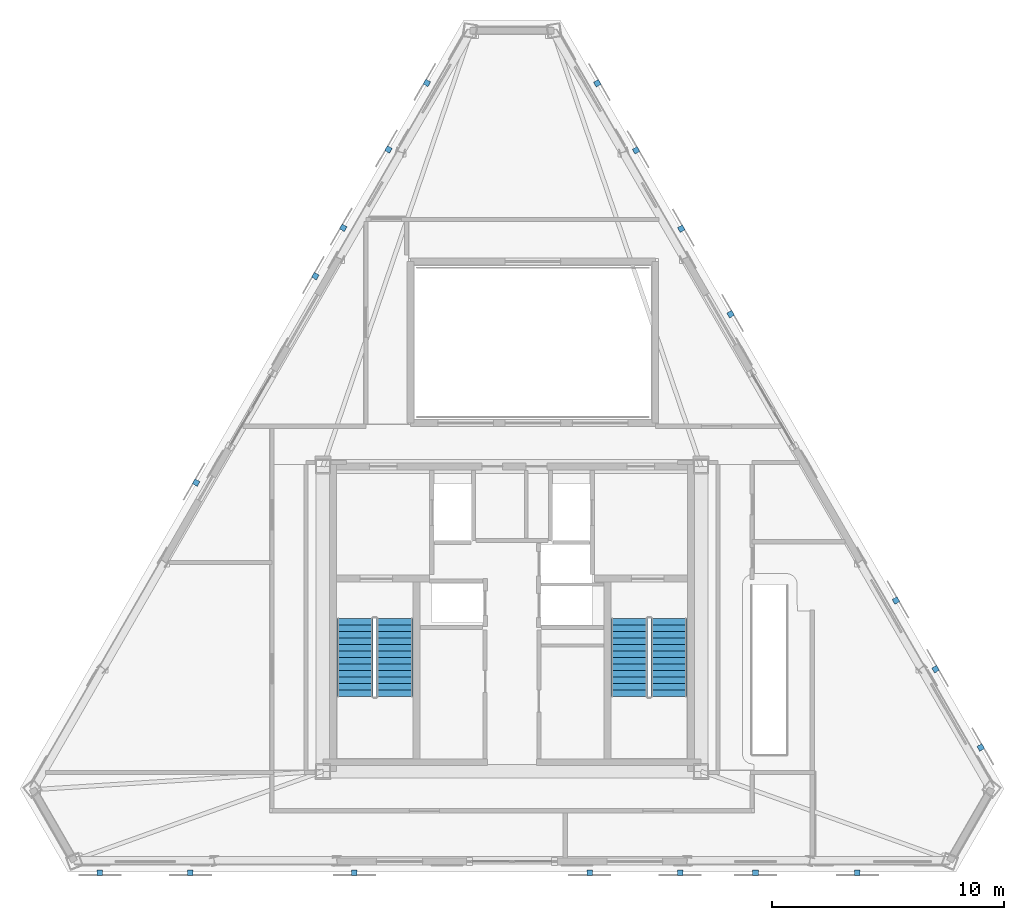
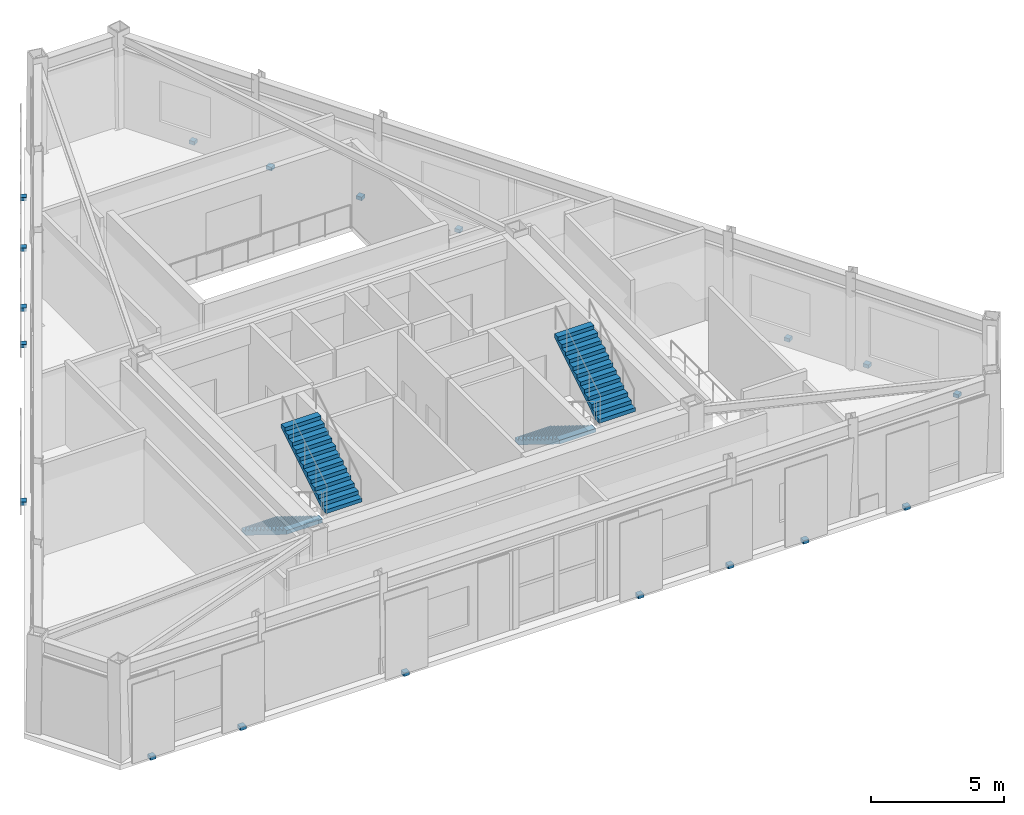
# One storey, part 11 of 14: 19 discrete accessories, 4 stair flights, 2 elements without a shape of their own.
"""IFC4 building model written with IfcOpenShell, lengths in metres."""

from ifc_helpers import new_model, si_unit, direction, frame, origin, origin_2d, place, context, subcontext, project, spatial, polyline, rectangle, outline, extrude, material, type_object, element, aggregate, save


model = new_model("IFC4")

# Units and contexts
model_context = context("Model", 3, precision=1e-05, world=origin(), true_north=direction((0.0, 1.0)))
body_context = subcontext(model_context, "Body", "Model", "MODEL_VIEW")
ifc_project = project(units=[si_unit("LENGTHUNIT", "METRE"), si_unit("AREAUNIT", "SQUARE_METRE"), si_unit("VOLUMEUNIT", "CUBIC_METRE"), si_unit("PLANEANGLEUNIT", "RADIAN"), si_unit("MASSUNIT", "GRAM", prefix="KILO")], contexts=[model_context])

# Site, building, storey
site_placement = place(None, origin())
site = spatial("IfcSite", under=ifc_project, at=site_placement, CompositionType="ELEMENT")
building_placement = place(site_placement, origin())
building = spatial("IfcBuilding", under=site, at=building_placement, Name="Oramaril Tower", CompositionType="ELEMENT")
storey_placement = place(building_placement, frame((0.0, 0.0, 309.60009765625)))
storey = spatial("IfcBuildingStorey", under=building, at=storey_placement, Name="L81", CompositionType="ELEMENT", Elevation=309.60009765625)

# Stair, stair flights
ifc_material_1 = material(Name="Concrete C50/60", Category="concrete")
stair_type = type_object("IfcStairType", Name="STT-DG-4500", PredefinedType="HALF_TURN_STAIR", material=ifc_material_1)
stair_1_placement = place(storey_placement, origin())
stair_1 = element("IfcStair", 1, at=stair_1_placement, inside=storey, type_object=stair_type, Name="L81 Protected PFP Exit Stair ST-1", PredefinedType="HALF_TURN_STAIR")
ifc_material_2 = material(Name="Concrete C50/60", Category="concrete")
stair_flight_type = type_object("IfcStairFlightType", Name="SFT-DG-4500", PredefinedType="STRAIGHT", material=ifc_material_2)
stair_flight_1_placement = place(storey_placement, frame((30.72998046875, 17.590087890625, 0.0), z_axis=(0.0, 0.0, 1.0), x_axis=(0.0, -1.0, 0.0)))
stair_flight_1 = element("IfcStairFlight", 2, at=stair_flight_1_placement, type_object=stair_flight_type, Name="ST-1 flight 1", NumberOfRisers=13, NumberOfTreads=12, PredefinedType="STRAIGHT", RiserHeight=0.173076923, TreadLength=0.28, context=body_context, shape_type="SweptSolid", body=[
    extrude(outline(polyline([(0.0, 0.0), (0.0, 0.173095703125), (0.280029296875, 0.173095703125), (0.280029296875, 0.34619140625), (0.56005859375, 0.34619140625), (0.56005859375, 0.519287109375), (0.840087890625, 0.519287109375), (0.840087890625, 0.6923828125), (1.1201171875, 0.6923828125), (1.1201171875, 0.865478515625), (1.39990234375, 0.865478515625), (1.39990234375, 1.03857421875), (1.679931640625, 1.03857421875), (1.679931640625, 1.21142578125), (1.9599609375, 1.21142578125), (1.9599609375, 1.384521484375), (2.239990234375, 1.384521484375), (2.239990234375, 1.5576171875), (2.52001953125, 1.5576171875), (2.52001953125, 1.730712890625), (2.800048828125, 1.730712890625), (2.800048828125, 1.90380859375), (3.080078125, 1.90380859375), (3.080078125, 2.076904296875), (3.360107421875, 2.076904296875), (3.360107421875, 2.25), (3.360107421875, 1.900634765625), (0.28515625, 0.0), (0.0, 0.0)])), frame((0.0, 0.780029296875, 0.0), z_axis=(0.0, -1.0, 0.0), x_axis=(1.0, 0.0, 0.0)), (0.0, 0.0, 1.0), 1.56005859375),
])
stair_flight_2_placement = place(storey_placement, frame((32.43994140625, 14.22998046875, 2.25), z_axis=(0.0, 0.0, 1.0), x_axis=(0.0, 1.0, 0.0)))
stair_flight_2 = element("IfcStairFlight", 3, at=stair_flight_2_placement, type_object=stair_flight_type, Name="ST-1 flight 2", NumberOfRisers=13, NumberOfTreads=12, PredefinedType="STRAIGHT", RiserHeight=0.173076923, TreadLength=0.28, context=body_context, shape_type="SweptSolid", body=[
    extrude(outline(polyline([(0.0, 0.0), (0.0, 0.173095703125), (0.280029296875, 0.173095703125), (0.280029296875, 0.34619140625), (0.56005859375, 0.34619140625), (0.56005859375, 0.519287109375), (0.840087890625, 0.519287109375), (0.840087890625, 0.6923828125), (1.1201171875, 0.6923828125), (1.1201171875, 0.865478515625), (1.39990234375, 0.865478515625), (1.39990234375, 1.03857421875), (1.679931640625, 1.03857421875), (1.679931640625, 1.21142578125), (1.9599609375, 1.21142578125), (1.9599609375, 1.384521484375), (2.239990234375, 1.384521484375), (2.239990234375, 1.5576171875), (2.52001953125, 1.5576171875), (2.52001953125, 1.730712890625), (2.800048828125, 1.730712890625), (2.800048828125, 1.90380859375), (3.080078125, 1.90380859375), (3.080078125, 2.076904296875), (3.360107421875, 2.076904296875), (3.360107421875, 2.25), (3.360107421875, 1.900634765625), (0.28515625, 0.0), (0.0, 0.0)])), frame((0.0, 0.780029296875, 0.0), z_axis=(0.0, -1.0, 0.0), x_axis=(1.0, 0.0, 0.0)), (0.0, 0.0, 1.0), 1.56005859375),
])
aggregate(stair_1, [stair_flight_1, stair_flight_2])

stair_2_placement = place(storey_placement, origin())
stair_2 = element("IfcStair", 4, at=stair_2_placement, inside=storey, type_object=stair_type, Name="L81 Protected PFP Exit Stair ST-2", PredefinedType="HALF_TURN_STAIR")
stair_flight_3_placement = place(storey_placement, frame((42.56005859375, 17.590087890625, 0.0), z_axis=(0.0, 0.0, 1.0), x_axis=(0.0, -1.0, 0.0)))
stair_flight_3 = element("IfcStairFlight", 5, at=stair_flight_3_placement, type_object=stair_flight_type, Name="ST-2 flight 1", NumberOfRisers=13, NumberOfTreads=12, PredefinedType="STRAIGHT", RiserHeight=0.173076923, TreadLength=0.28, context=body_context, shape_type="SweptSolid", body=[
    extrude(outline(polyline([(0.0, 0.0), (0.0, 0.173095703125), (0.280029296875, 0.173095703125), (0.280029296875, 0.34619140625), (0.56005859375, 0.34619140625), (0.56005859375, 0.519287109375), (0.840087890625, 0.519287109375), (0.840087890625, 0.6923828125), (1.1201171875, 0.6923828125), (1.1201171875, 0.865478515625), (1.39990234375, 0.865478515625), (1.39990234375, 1.03857421875), (1.679931640625, 1.03857421875), (1.679931640625, 1.21142578125), (1.9599609375, 1.21142578125), (1.9599609375, 1.384521484375), (2.239990234375, 1.384521484375), (2.239990234375, 1.5576171875), (2.52001953125, 1.5576171875), (2.52001953125, 1.730712890625), (2.800048828125, 1.730712890625), (2.800048828125, 1.90380859375), (3.080078125, 1.90380859375), (3.080078125, 2.076904296875), (3.360107421875, 2.076904296875), (3.360107421875, 2.25), (3.360107421875, 1.900634765625), (0.28515625, 0.0), (0.0, 0.0)])), frame((0.0, 0.780029296875, 0.0), z_axis=(0.0, -1.0, 0.0), x_axis=(1.0, 0.0, 0.0)), (0.0, 0.0, 1.0), 1.56005859375),
])
stair_flight_4_placement = place(storey_placement, frame((44.27001953125, 14.22998046875, 2.25), z_axis=(0.0, 0.0, 1.0), x_axis=(0.0, 1.0, 0.0)))
stair_flight_4 = element("IfcStairFlight", 6, at=stair_flight_4_placement, type_object=stair_flight_type, Name="ST-2 flight 2", NumberOfRisers=13, NumberOfTreads=12, PredefinedType="STRAIGHT", RiserHeight=0.173076923, TreadLength=0.28, context=body_context, shape_type="SweptSolid", body=[
    extrude(outline(polyline([(0.0, 0.0), (0.0, 0.173095703125), (0.280029296875, 0.173095703125), (0.280029296875, 0.34619140625), (0.56005859375, 0.34619140625), (0.56005859375, 0.519287109375), (0.840087890625, 0.519287109375), (0.840087890625, 0.6923828125), (1.1201171875, 0.6923828125), (1.1201171875, 0.865478515625), (1.39990234375, 0.865478515625), (1.39990234375, 1.03857421875), (1.679931640625, 1.03857421875), (1.679931640625, 1.21142578125), (1.9599609375, 1.21142578125), (1.9599609375, 1.384521484375), (2.239990234375, 1.384521484375), (2.239990234375, 1.5576171875), (2.52001953125, 1.5576171875), (2.52001953125, 1.730712890625), (2.800048828125, 1.730712890625), (2.800048828125, 1.90380859375), (3.080078125, 1.90380859375), (3.080078125, 2.076904296875), (3.360107421875, 2.076904296875), (3.360107421875, 2.25), (3.360107421875, 1.900634765625), (0.28515625, 0.0), (0.0, 0.0)])), frame((0.0, 0.780029296875, 0.0), z_axis=(0.0, -1.0, 0.0), x_axis=(1.0, 0.0, 0.0)), (0.0, 0.0, 1.0), 1.56005859375),
])
aggregate(stair_2, [stair_flight_3, stair_flight_4])

# Discrete accessories
for number, where, z_axis, x_axis, name in (
    (7, (19.731201171875, 6.629150390625, -0.14013671875), (0.0, 0.0, 1.0), (1.0, 0.0, 0.0), "L81 Solar Screen Slab Bracket"),
    (8, (23.631103515625, 6.629150390625, -0.14013671875), (0.0, 0.0, 1.0), (1.0, 0.0, 0.0), "L81 Solar Screen Slab Bracket"),
    (9, (30.697265625, 6.629150390625, -0.14013671875), (0.0, 0.0, 1.0), (1.0, 0.0, 0.0), "L81 Solar Screen Slab Bracket"),
    (10, (40.8505859375, 6.629150390625, -0.14013671875), (0.0, 0.0, 1.0), (1.0, 0.0, 0.0), "L81 Solar Screen Slab Bracket"),
    (11, (44.75048828125, 6.629150390625, -0.14013671875), (0.0, 0.0, 1.0), (1.0, 0.0, 0.0), "L81 Solar Screen Slab Bracket"),
    (12, (48.001220703125, 6.629150390625, -0.14013671875), (0.0, 0.0, 1.0), (1.0, 0.0, 0.0), "L81 Solar Screen Slab Bracket"),
    (13, (52.390625, 6.629150390625, -0.14013671875), (0.0, 0.0, 1.0), (1.0, 0.0, 0.0), "L81 Solar Screen Slab Bracket"),
    (14, (57.7158203125, 12.026611328125, -0.14013671875), (0.0, 0.0, 1.0), (-0.500001511499, 0.866024531118, 0.0), "L81 Solar Screen Slab Bracket"),
    (15, (55.765869140625, 15.404052734375, -0.14013671875), (0.0, 0.0, 1.0), (-0.500001511499, 0.866024531118, 0.0), "L81 Solar Screen Slab Bracket"),
    (16, (54.0576171875, 18.362548828125, -0.14013671875), (0.0, 0.0, 1.0), (-0.500001511499, 0.866024531118, 0.0), "L81 Solar Screen Slab Bracket"),
    (17, (46.926513671875, 30.71435546875, -0.14013671875), (0.0, 0.0, 1.0), (-0.4999984885, 0.866026276448, 0.0), "L81 Solar Screen Slab Bracket"),
    (18, (44.79931640625, 34.39892578125, -0.14013671875), (0.0, 0.0, 1.0), (-0.4999984885, 0.866026276448, 0.0), "L81 Solar Screen Slab Bracket"),
    (19, (42.84912109375, 37.776611328125, -0.14013671875), (0.0, 0.0, 1.0), (-0.4999984885, 0.866026276448, 0.0), "L81 Solar Screen Slab Bracket"),
    (20, (41.17822265625, 40.670654296875, -0.14013671875), (0.0, 0.0, 1.0), (-0.4999984885, 0.866026276448, 0.0), "L81 Solar Screen Slab Bracket"),
    (21, (29.02001953125, 32.353759765625, -0.14013671875), (0.0, 0.0, 1.0), (-0.500001511499, -0.866024531118, 0.0), "L81 Solar Screen Slab Bracket"),
    (22, (33.8291015625, 40.68310546875, -0.14013671875), (0.0, 0.0, 1.0), (-0.500001511499, -0.866024531118, 0.0), "L81 Solar Screen Slab Bracket"),
    (23, (32.172607421875, 37.81396484375, -0.14013671875), (0.0, 0.0, 1.0), (-0.500001511499, -0.866024531118, 0.0), "L81 Solar Screen Slab Bracket"),
    (24, (30.222412109375, 34.4365234375, -0.14013671875), (0.0, 0.0, 1.0), (-0.500001511499, -0.866024531118, 0.0), "L81 Solar Screen Slab Bracket"),
    (25, (23.87744140625, 23.44677734375, -0.14013671875), (0.0, 0.0, 1.0), (-0.4999984885, -0.866026276448, 0.0), "L81 Solar Screen Slab Bracket"),
):
    element("IfcDiscreteAccessory", number, at=place(storey_placement, frame(where, z_axis=z_axis, x_axis=x_axis)), inside=storey, Name=name, PredefinedType="BRACKET", context=body_context, shape_type="SweptSolid", body=[
        extrude(rectangle(XDim=0.239990234375, YDim=0.239990234375, at=origin_2d()), origin(), (0.0, 0.0, 1.0), 0.159912109375),
    ])

save(model, "model.ifc")
